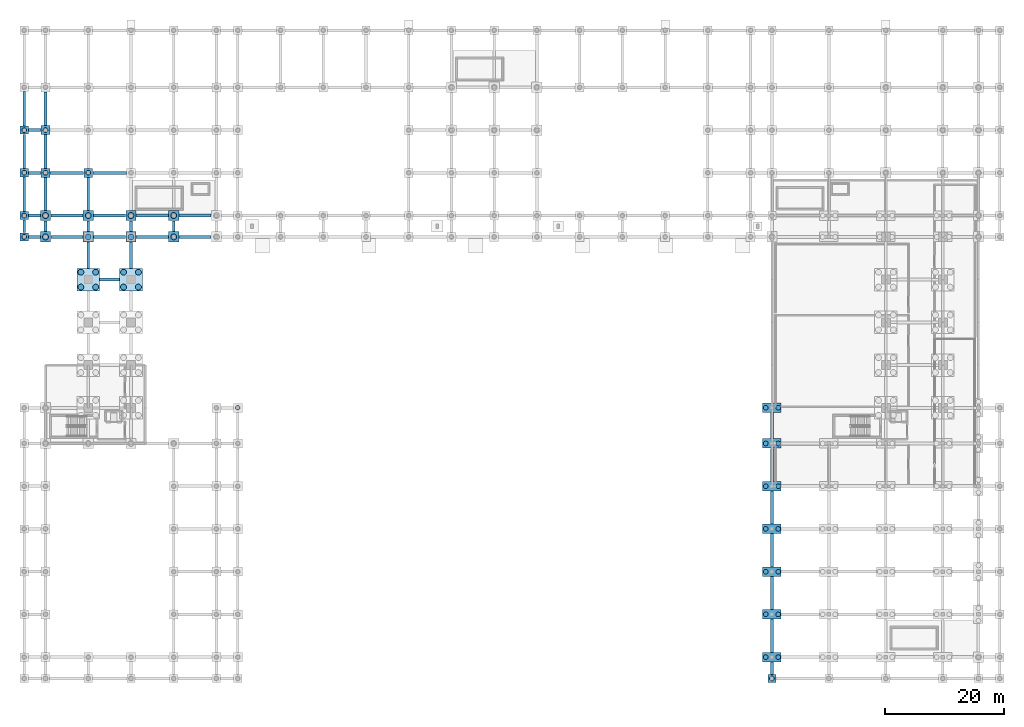
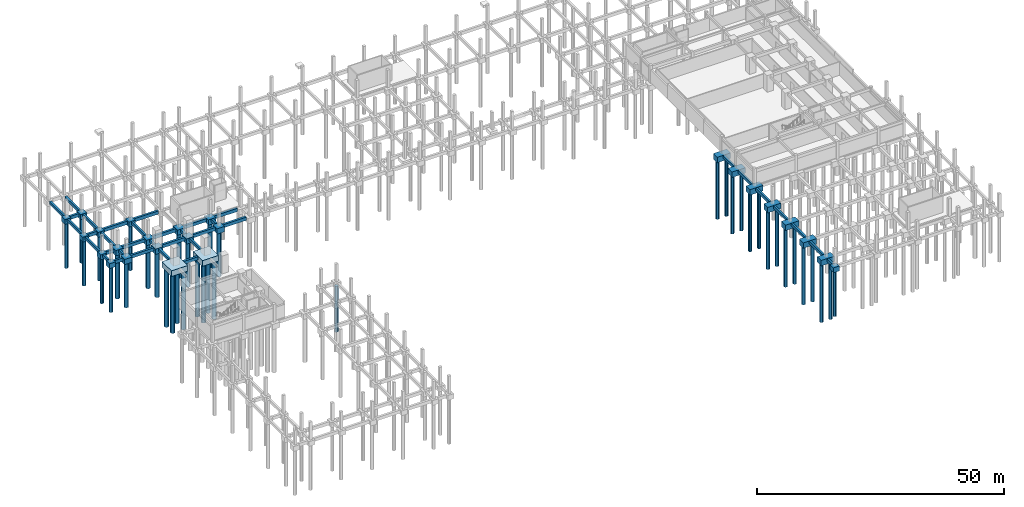
# One storey, part 3 of 20: 61 footings, 39 piles.
"""IFC4 building model written with IfcOpenShell, lengths in metres."""

from ifc_helpers import new_model, si_unit, direction, frame, origin, origin_2d, place, context, subcontext, project, spatial, polyline, rectangle, circle, outline, extrude, material, material_profile, profile_set, type_object, element, save


model = new_model("IFC4")

# Units and contexts
model_context = context("Model", 3, precision=1e-05, world=origin(), true_north=direction((0.0, 1.0)))
body_context = subcontext(model_context, "Body", "Model", "MODEL_VIEW")
ifc_project = project(units=[si_unit("LENGTHUNIT", "METRE"), si_unit("AREAUNIT", "SQUARE_METRE"), si_unit("VOLUMEUNIT", "CUBIC_METRE"), si_unit("PLANEANGLEUNIT", "RADIAN"), si_unit("MASSUNIT", "GRAM", prefix="KILO")], contexts=[model_context])

# Site, building, storey
site_placement = place(None, origin())
site = spatial("IfcSite", under=ifc_project, at=site_placement, CompositionType="ELEMENT")
building_placement = place(site_placement, origin())
building = spatial("IfcBuilding", under=site, at=building_placement, Name="Nzembalo Square Collegiate School", CompositionType="ELEMENT")
storey_placement = place(building_placement, frame((0.0, 0.0, -4.080078125)))
storey = spatial("IfcBuildingStorey", under=building, at=storey_placement, Name="B1", CompositionType="ELEMENT", Elevation=-4.080078125)

# Footings
ifc_material_1 = material(Name="Concrete C35/45", Category="concrete")
footing_type_1 = type_object("IfcFootingType", Name="PC01", PredefinedType="PILE_CAP", material=ifc_material_1)
for number, where, z_axis, x_axis, name in (
    (1, (15.60009765625, 72.0, -1.699951171875), (0.0, 0.0, 1.0), (1.0, 0.0, 0.0), "Pile cap PC01 at 3/K"),
    (2, (22.800048828125, 72.0, -1.699951171875), (0.0, 0.0, 1.0), (1.0, 0.0, 0.0), "Pile cap PC01 at 4/K"),
):
    element("IfcFooting", number, at=place(storey_placement, frame(where, z_axis=z_axis, x_axis=x_axis)), inside=storey, type_object=footing_type_1, Name=name, PredefinedType="PILE_CAP", context=body_context, shape_type="SweptSolid", body=[
        extrude(rectangle(XDim=3.800048828125, YDim=3.800048828125, at=origin_2d()), origin(), (0.0, 0.0, 1.0), 1.39990234375),
    ])
ifc_material_2 = material(Name="Concrete C35/45", Category="concrete")
footing_type_2 = type_object("IfcFootingType", Name="PC03", PredefinedType="PILE_CAP", material=ifc_material_2)
for number, where, z_axis, x_axis, name in (
    (3, (130.800048828125, 8.39990234375, -1.64990234375), (0.0, 0.0, 1.0), (1.0, 0.0, 0.0), "Pile cap PC03 at 20/B"),
    (4, (130.800048828125, 15.60009765625, -1.64990234375), (0.0, 0.0, 1.0), (1.0, 0.0, 0.0), "Pile cap PC03 at 20/C"),
    (5, (130.800048828125, 22.800048828125, -1.64990234375), (0.0, 0.0, 1.0), (1.0, 0.0, 0.0), "Pile cap PC03 at 20/D"),
    (6, (130.800048828125, 30.0, -1.64990234375), (0.0, 0.0, 1.0), (1.0, 0.0, 0.0), "Pile cap PC03 at 20/E"),
    (7, (130.800048828125, 37.199951171875, -1.64990234375), (0.0, 0.0, 1.0), (1.0, 0.0, 0.0), "Pile cap PC03 at 20/F"),
    (8, (130.800048828125, 44.39990234375, -1.64990234375), (0.0, 0.0, 1.0), (1.0, 0.0, 0.0), "Pile cap PC03 at 20/G"),
    (9, (130.800048828125, 50.39990234375, -1.64990234375), (0.0, 0.0, 1.0), (1.0, 0.0, 0.0), "Pile cap PC03 at 20/H"),
):
    element("IfcFooting", number, at=place(storey_placement, frame(where, z_axis=z_axis, x_axis=x_axis)), inside=storey, type_object=footing_type_2, Name=name, PredefinedType="PILE_CAP", context=body_context, shape_type="SweptSolid", body=[
        extrude(rectangle(XDim=3.10009765625, YDim=1.60009765625, at=origin_2d()), origin(), (0.0, 0.0, 1.0), 1.35009765625),
    ])
ifc_material_3 = material(Name="Concrete C35/45", Category="concrete")
footing_type_3 = type_object("IfcFootingType", Name="PC05", PredefinedType="PILE_CAP", material=ifc_material_3)
for number, where, z_axis, x_axis, name in (
    (10, (8.39990234375, 79.199951171875, -1.60009765625), (0.0, 0.0, 1.0), (1.0, 0.0, 0.0), "Pile cap PC05 at 2/L"),
    (11, (8.39990234375, 82.800048828125, -1.60009765625), (0.0, 0.0, 1.0), (1.0, 0.0, 0.0), "Pile cap PC05 at 2/M"),
    (12, (15.60009765625, 79.199951171875, -1.60009765625), (0.0, 0.0, 1.0), (1.0, 0.0, 0.0), "Pile cap PC05 at 3/L"),
    (13, (15.60009765625, 82.800048828125, -1.60009765625), (0.0, 0.0, 1.0), (1.0, 0.0, 0.0), "Pile cap PC05 at 3/M"),
    (14, (22.800048828125, 79.199951171875, -1.60009765625), (0.0, 0.0, 1.0), (1.0, 0.0, 0.0), "Pile cap PC05 at 4/L"),
    (15, (22.800048828125, 82.800048828125, -1.60009765625), (0.0, 0.0, 1.0), (1.0, 0.0, 0.0), "Pile cap PC05 at 4/M"),
    (16, (30.0, 79.199951171875, -1.60009765625), (0.0, 0.0, 1.0), (1.0, 0.0, 0.0), "Pile cap PC05 at 5/L"),
    (17, (30.0, 82.800048828125, -1.60009765625), (0.0, 0.0, 1.0), (1.0, 0.0, 0.0), "Pile cap PC05 at 5/M"),
):
    element("IfcFooting", number, at=place(storey_placement, frame(where, z_axis=z_axis, x_axis=x_axis)), inside=storey, type_object=footing_type_3, Name=name, PredefinedType="PILE_CAP", context=body_context, shape_type="SweptSolid", body=[
        extrude(rectangle(XDim=1.75, YDim=1.75, at=origin_2d()), origin(), (0.0, 0.0, 1.0), 1.300048828125),
    ])
ifc_material_4 = material(Name="Concrete C35/45", Category="concrete")
footing_type_4 = type_object("IfcFootingType", Name="PC06", PredefinedType="PILE_CAP", material=ifc_material_4)
for number, where, z_axis, x_axis, name in (
    (18, (8.39990234375, 90.0, -1.5498046875), (0.0, 0.0, 1.0), (1.0, 0.0, 0.0), "Pile cap PC06 at 2/N"),
    (19, (8.39990234375, 97.199951171875, -1.5498046875), (0.0, 0.0, 1.0), (1.0, 0.0, 0.0), "Pile cap PC06 at 2/O"),
    (20, (15.60009765625, 90.0, -1.5498046875), (0.0, 0.0, 1.0), (1.0, 0.0, 0.0), "Pile cap PC06 at 3/N"),
):
    element("IfcFooting", number, at=place(storey_placement, frame(where, z_axis=z_axis, x_axis=x_axis)), inside=storey, type_object=footing_type_4, Name=name, PredefinedType="PILE_CAP", context=body_context, shape_type="SweptSolid", body=[
        extrude(rectangle(XDim=1.5, YDim=1.5, at=origin_2d()), origin(), (0.0, 0.0, 1.0), 1.25),
    ])
ifc_material_5 = material(Name="Concrete C35/45", Category="concrete")
footing_type_5 = type_object("IfcFootingType", Name="PC07", PredefinedType="PILE_CAP", material=ifc_material_5)
for number, where, z_axis, x_axis, name in (
    (21, (4.800048828125, 79.199951171875, -1.5), (0.0, 0.0, 1.0), (1.0, 0.0, 0.0), "Pile cap PC07 at 1/L"),
    (22, (4.800048828125, 82.800048828125, -1.5), (0.0, 0.0, 1.0), (1.0, 0.0, 0.0), "Pile cap PC07 at 1/M"),
    (23, (4.800048828125, 90.0, -1.5), (0.0, 0.0, 1.0), (1.0, 0.0, 0.0), "Pile cap PC07 at 1/N"),
    (24, (4.800048828125, 97.199951171875, -1.5), (0.0, 0.0, 1.0), (1.0, 0.0, 0.0), "Pile cap PC07 at 1/O"),
    (25, (130.800048828125, 4.800048828125, -1.5), (0.0, 0.0, 1.0), (1.0, 0.0, 0.0), "Pile cap PC07 at 20/A"),
):
    element("IfcFooting", number, at=place(storey_placement, frame(where, z_axis=z_axis, x_axis=x_axis)), inside=storey, type_object=footing_type_5, Name=name, PredefinedType="PILE_CAP", context=body_context, shape_type="SweptSolid", body=[
        extrude(rectangle(XDim=1.39990234375, YDim=1.39990234375, at=origin_2d()), origin(), (0.0, 0.0, 1.0), 1.199951171875),
    ])
ifc_material_6 = material(Name="Concrete C30/37", Category="concrete")
footing_type_6 = type_object("IfcFootingType", Name="FG01", PredefinedType="FOOTING_BEAM", material=ifc_material_6)
footing_1_placement = place(storey_placement, frame((0.0, 0.0, -1.099853515625)))
element("IfcFooting", 26, at=footing_1_placement, inside=storey, type_object=footing_type_6, Name="Ground beam FG01 3-4/K", PredefinedType="FOOTING_BEAM", context=body_context, shape_type="SweptSolid", body=[
    extrude(outline(polyline([(17.510009765625, 71.75), (20.889892578125, 71.75), (20.889892578125, 72.25), (17.510009765625, 72.25), (17.510009765625, 71.75)])), origin(), (0.0, 0.0, 1.0), 0.800048828125),
])
footing_2_placement = place(storey_placement, frame((0.0, 0.0, -1.099853515625)))
element("IfcFooting", 27, at=footing_2_placement, inside=storey, type_object=footing_type_6, Name="Ground beam FG01 1-2/L", PredefinedType="FOOTING_BEAM", context=body_context, shape_type="SweptSolid", body=[
    extrude(outline(polyline([(5.510009765625, 78.949951171875), (7.514892578125, 78.949951171875), (7.514892578125, 79.449951171875), (5.510009765625, 79.449951171875), (5.510009765625, 78.949951171875)])), origin(), (0.0, 0.0, 1.0), 0.800048828125),
])
footing_3_placement = place(storey_placement, frame((0.0, 0.0, -1.099853515625)))
element("IfcFooting", 28, at=footing_3_placement, inside=storey, type_object=footing_type_6, Name="Ground beam FG01 2-3/L", PredefinedType="FOOTING_BEAM", context=body_context, shape_type="SweptSolid", body=[
    extrude(outline(polyline([(9.284912109375, 78.949951171875), (14.715087890625, 78.949951171875), (14.715087890625, 79.449951171875), (9.284912109375, 79.449951171875), (9.284912109375, 78.949951171875)])), origin(), (0.0, 0.0, 1.0), 0.800048828125),
])
footing_4_placement = place(storey_placement, frame((0.0, 0.0, -1.099853515625)))
element("IfcFooting", 29, at=footing_4_placement, inside=storey, type_object=footing_type_6, Name="Ground beam FG01 3-4/L", PredefinedType="FOOTING_BEAM", context=body_context, shape_type="SweptSolid", body=[
    extrude(outline(polyline([(16.485107421875, 78.949951171875), (21.9150390625, 78.949951171875), (21.9150390625, 79.449951171875), (16.485107421875, 79.449951171875), (16.485107421875, 78.949951171875)])), origin(), (0.0, 0.0, 1.0), 0.800048828125),
])
footing_5_placement = place(storey_placement, frame((0.0, 0.0, -1.099853515625)))
element("IfcFooting", 30, at=footing_5_placement, inside=storey, type_object=footing_type_6, Name="Ground beam FG01 4-5/L", PredefinedType="FOOTING_BEAM", context=body_context, shape_type="SweptSolid", body=[
    extrude(outline(polyline([(23.68505859375, 78.949951171875), (29.114990234375, 78.949951171875), (29.114990234375, 79.449951171875), (23.68505859375, 79.449951171875), (23.68505859375, 78.949951171875)])), origin(), (0.0, 0.0, 1.0), 0.800048828125),
])
footing_6_placement = place(storey_placement, frame((0.0, 0.0, -1.099853515625)))
element("IfcFooting", 31, at=footing_6_placement, inside=storey, type_object=footing_type_6, Name="Ground beam FG01 5-6/L", PredefinedType="FOOTING_BEAM", context=body_context, shape_type="SweptSolid", body=[
    extrude(outline(polyline([(30.885009765625, 78.949951171875), (36.31494140625, 78.949951171875), (36.31494140625, 79.449951171875), (30.885009765625, 79.449951171875), (30.885009765625, 78.949951171875)])), origin(), (0.0, 0.0, 1.0), 0.800048828125),
])
footing_7_placement = place(storey_placement, frame((0.0, 0.0, -1.099853515625)))
element("IfcFooting", 32, at=footing_7_placement, inside=storey, type_object=footing_type_6, Name="Ground beam FG01 1-2/M", PredefinedType="FOOTING_BEAM", context=body_context, shape_type="SweptSolid", body=[
    extrude(outline(polyline([(5.510009765625, 82.550048828125), (7.514892578125, 82.550048828125), (7.514892578125, 83.050048828125), (5.510009765625, 83.050048828125), (5.510009765625, 82.550048828125)])), origin(), (0.0, 0.0, 1.0), 0.800048828125),
])
footing_8_placement = place(storey_placement, frame((0.0, 0.0, -1.099853515625)))
element("IfcFooting", 33, at=footing_8_placement, inside=storey, type_object=footing_type_6, Name="Ground beam FG01 2-3/M", PredefinedType="FOOTING_BEAM", context=body_context, shape_type="SweptSolid", body=[
    extrude(outline(polyline([(9.284912109375, 82.550048828125), (14.715087890625, 82.550048828125), (14.715087890625, 83.050048828125), (9.284912109375, 83.050048828125), (9.284912109375, 82.550048828125)])), origin(), (0.0, 0.0, 1.0), 0.800048828125),
])
footing_9_placement = place(storey_placement, frame((0.0, 0.0, -1.099853515625)))
element("IfcFooting", 34, at=footing_9_placement, inside=storey, type_object=footing_type_6, Name="Ground beam FG01 3-4/M", PredefinedType="FOOTING_BEAM", context=body_context, shape_type="SweptSolid", body=[
    extrude(outline(polyline([(16.485107421875, 82.550048828125), (21.9150390625, 82.550048828125), (21.9150390625, 83.050048828125), (16.485107421875, 83.050048828125), (16.485107421875, 82.550048828125)])), origin(), (0.0, 0.0, 1.0), 0.800048828125),
])
footing_10_placement = place(storey_placement, frame((0.0, 0.0, -1.099853515625)))
element("IfcFooting", 35, at=footing_10_placement, inside=storey, type_object=footing_type_6, Name="Ground beam FG01 4-5/M", PredefinedType="FOOTING_BEAM", context=body_context, shape_type="SweptSolid", body=[
    extrude(outline(polyline([(23.68505859375, 82.550048828125), (29.114990234375, 82.550048828125), (29.114990234375, 83.050048828125), (23.68505859375, 83.050048828125), (23.68505859375, 82.550048828125)])), origin(), (0.0, 0.0, 1.0), 0.800048828125),
])
footing_11_placement = place(storey_placement, frame((0.0, 0.0, -1.099853515625)))
element("IfcFooting", 36, at=footing_11_placement, inside=storey, type_object=footing_type_6, Name="Ground beam FG01 5-6/M", PredefinedType="FOOTING_BEAM", context=body_context, shape_type="SweptSolid", body=[
    extrude(outline(polyline([(30.885009765625, 82.550048828125), (36.31494140625, 82.550048828125), (36.31494140625, 83.050048828125), (30.885009765625, 83.050048828125), (30.885009765625, 82.550048828125)])), origin(), (0.0, 0.0, 1.0), 0.800048828125),
])
footing_12_placement = place(storey_placement, frame((0.0, 0.0, -1.099853515625)))
element("IfcFooting", 37, at=footing_12_placement, inside=storey, type_object=footing_type_6, Name="Ground beam FG01 1-2/N", PredefinedType="FOOTING_BEAM", context=body_context, shape_type="SweptSolid", body=[
    extrude(outline(polyline([(5.510009765625, 89.75), (7.639892578125, 89.75), (7.639892578125, 90.25), (5.510009765625, 90.25), (5.510009765625, 89.75)])), origin(), (0.0, 0.0, 1.0), 0.800048828125),
])
footing_13_placement = place(storey_placement, frame((0.0, 0.0, -1.099853515625)))
element("IfcFooting", 38, at=footing_13_placement, inside=storey, type_object=footing_type_6, Name="Ground beam FG01 2-3/N", PredefinedType="FOOTING_BEAM", context=body_context, shape_type="SweptSolid", body=[
    extrude(outline(polyline([(9.159912109375, 89.75), (14.840087890625, 89.75), (14.840087890625, 90.25), (9.159912109375, 90.25), (9.159912109375, 89.75)])), origin(), (0.0, 0.0, 1.0), 0.800048828125),
])
footing_14_placement = place(storey_placement, frame((0.0, 0.0, -1.099853515625)))
element("IfcFooting", 39, at=footing_14_placement, inside=storey, type_object=footing_type_6, Name="Ground beam FG01 3-4/N", PredefinedType="FOOTING_BEAM", context=body_context, shape_type="SweptSolid", body=[
    extrude(outline(polyline([(16.360107421875, 89.75), (22.0400390625, 89.75), (22.0400390625, 90.25), (16.360107421875, 90.25), (16.360107421875, 89.75)])), origin(), (0.0, 0.0, 1.0), 0.800048828125),
])
footing_15_placement = place(storey_placement, frame((0.0, 0.0, -1.099853515625)))
element("IfcFooting", 40, at=footing_15_placement, inside=storey, type_object=footing_type_6, Name="Ground beam FG01 1-2/O", PredefinedType="FOOTING_BEAM", context=body_context, shape_type="SweptSolid", body=[
    extrude(outline(polyline([(5.510009765625, 96.949951171875), (7.639892578125, 96.949951171875), (7.639892578125, 97.449951171875), (5.510009765625, 97.449951171875), (5.510009765625, 96.949951171875)])), origin(), (0.0, 0.0, 1.0), 0.800048828125),
])
ifc_material_7 = material(Name="Concrete C30/37", Category="concrete")
footing_type_7 = type_object("IfcFootingType", Name="FG02", PredefinedType="FOOTING_BEAM", material=ifc_material_7)
footing_16_placement = place(storey_placement, frame((0.0, 0.0, -1.0)))
element("IfcFooting", 41, at=footing_16_placement, inside=storey, type_object=footing_type_7, Name="Ground beam FG02 1/L-M", PredefinedType="FOOTING_BEAM", context=body_context, shape_type="SweptSolid", body=[
    extrude(outline(polyline([(4.574951171875, 79.909912109375), (5.02490234375, 79.909912109375), (5.02490234375, 82.090087890625), (4.574951171875, 82.090087890625), (4.574951171875, 79.909912109375)])), origin(), (0.0, 0.0, 1.0), 0.7001953125),
])
footing_17_placement = place(storey_placement, frame((0.0, 0.0, -1.0)))
element("IfcFooting", 42, at=footing_17_placement, inside=storey, type_object=footing_type_7, Name="Ground beam FG02 1/M-N", PredefinedType="FOOTING_BEAM", context=body_context, shape_type="SweptSolid", body=[
    extrude(outline(polyline([(4.574951171875, 83.510009765625), (5.02490234375, 83.510009765625), (5.02490234375, 89.2900390625), (4.574951171875, 89.2900390625), (4.574951171875, 83.510009765625)])), origin(), (0.0, 0.0, 1.0), 0.7001953125),
])
footing_18_placement = place(storey_placement, frame((0.0, 0.0, -1.0)))
element("IfcFooting", 43, at=footing_18_placement, inside=storey, type_object=footing_type_7, Name="Ground beam FG02 1/N-O", PredefinedType="FOOTING_BEAM", context=body_context, shape_type="SweptSolid", body=[
    extrude(outline(polyline([(4.574951171875, 90.7099609375), (5.02490234375, 90.7099609375), (5.02490234375, 96.489990234375), (4.574951171875, 96.489990234375), (4.574951171875, 90.7099609375)])), origin(), (0.0, 0.0, 1.0), 0.7001953125),
])
footing_19_placement = place(storey_placement, frame((0.0, 0.0, -1.0)))
element("IfcFooting", 44, at=footing_19_placement, inside=storey, type_object=footing_type_7, Name="Ground beam FG02 1/O-P", PredefinedType="FOOTING_BEAM", context=body_context, shape_type="SweptSolid", body=[
    extrude(outline(polyline([(4.574951171875, 97.909912109375), (5.02490234375, 97.909912109375), (5.02490234375, 103.68994140625), (4.574951171875, 103.68994140625), (4.574951171875, 97.909912109375)])), origin(), (0.0, 0.0, 1.0), 0.7001953125),
])
footing_20_placement = place(storey_placement, frame((0.0, 0.0, -1.0)))
element("IfcFooting", 45, at=footing_20_placement, inside=storey, type_object=footing_type_7, Name="Ground beam FG02 2/L-M", PredefinedType="FOOTING_BEAM", context=body_context, shape_type="SweptSolid", body=[
    extrude(outline(polyline([(8.175048828125, 80.0849609375), (8.625, 80.0849609375), (8.625, 81.9150390625), (8.175048828125, 81.9150390625), (8.175048828125, 80.0849609375)])), origin(), (0.0, 0.0, 1.0), 0.7001953125),
])
footing_21_placement = place(storey_placement, frame((0.0, 0.0, -1.0)))
element("IfcFooting", 46, at=footing_21_placement, inside=storey, type_object=footing_type_7, Name="Ground beam FG02 2/M-N", PredefinedType="FOOTING_BEAM", context=body_context, shape_type="SweptSolid", body=[
    extrude(outline(polyline([(8.175048828125, 83.68505859375), (8.625, 83.68505859375), (8.625, 89.239990234375), (8.175048828125, 89.239990234375), (8.175048828125, 83.68505859375)])), origin(), (0.0, 0.0, 1.0), 0.7001953125),
])
footing_22_placement = place(storey_placement, frame((0.0, 0.0, -1.0)))
element("IfcFooting", 47, at=footing_22_placement, inside=storey, type_object=footing_type_7, Name="Ground beam FG02 2/N-O", PredefinedType="FOOTING_BEAM", context=body_context, shape_type="SweptSolid", body=[
    extrude(outline(polyline([(8.175048828125, 90.760009765625), (8.625, 90.760009765625), (8.625, 96.43994140625), (8.175048828125, 96.43994140625), (8.175048828125, 90.760009765625)])), origin(), (0.0, 0.0, 1.0), 0.7001953125),
])
footing_23_placement = place(storey_placement, frame((0.0, 0.0, -1.0)))
element("IfcFooting", 48, at=footing_23_placement, inside=storey, type_object=footing_type_7, Name="Ground beam FG02 2/O-P", PredefinedType="FOOTING_BEAM", context=body_context, shape_type="SweptSolid", body=[
    extrude(outline(polyline([(8.175048828125, 97.9599609375), (8.625, 97.9599609375), (8.625, 103.639892578125), (8.175048828125, 103.639892578125), (8.175048828125, 97.9599609375)])), origin(), (0.0, 0.0, 1.0), 0.7001953125),
])
footing_24_placement = place(storey_placement, frame((0.0, 0.0, -1.0)))
element("IfcFooting", 49, at=footing_24_placement, inside=storey, type_object=footing_type_7, Name="Ground beam FG02 3/K-L", PredefinedType="FOOTING_BEAM", context=body_context, shape_type="SweptSolid", body=[
    extrude(outline(polyline([(15.375, 73.909912109375), (15.824951171875, 73.909912109375), (15.824951171875, 78.31494140625), (15.375, 78.31494140625), (15.375, 73.909912109375)])), origin(), (0.0, 0.0, 1.0), 0.7001953125),
])
footing_25_placement = place(storey_placement, frame((0.0, 0.0, -1.0)))
element("IfcFooting", 50, at=footing_25_placement, inside=storey, type_object=footing_type_7, Name="Ground beam FG02 3/L-M", PredefinedType="FOOTING_BEAM", context=body_context, shape_type="SweptSolid", body=[
    extrude(outline(polyline([(15.375, 80.0849609375), (15.824951171875, 80.0849609375), (15.824951171875, 81.9150390625), (15.375, 81.9150390625), (15.375, 80.0849609375)])), origin(), (0.0, 0.0, 1.0), 0.7001953125),
])
footing_26_placement = place(storey_placement, frame((0.0, 0.0, -1.0)))
element("IfcFooting", 51, at=footing_26_placement, inside=storey, type_object=footing_type_7, Name="Ground beam FG02 3/M-N", PredefinedType="FOOTING_BEAM", context=body_context, shape_type="SweptSolid", body=[
    extrude(outline(polyline([(15.375, 83.68505859375), (15.824951171875, 83.68505859375), (15.824951171875, 89.239990234375), (15.375, 89.239990234375), (15.375, 83.68505859375)])), origin(), (0.0, 0.0, 1.0), 0.7001953125),
])
footing_27_placement = place(storey_placement, frame((0.0, 0.0, -1.0)))
element("IfcFooting", 52, at=footing_27_placement, inside=storey, type_object=footing_type_7, Name="Ground beam FG02 4/K-L", PredefinedType="FOOTING_BEAM", context=body_context, shape_type="SweptSolid", body=[
    extrude(outline(polyline([(22.574951171875, 73.909912109375), (23.02490234375, 73.909912109375), (23.02490234375, 78.31494140625), (22.574951171875, 78.31494140625), (22.574951171875, 73.909912109375)])), origin(), (0.0, 0.0, 1.0), 0.7001953125),
])
footing_28_placement = place(storey_placement, frame((0.0, 0.0, -1.0)))
element("IfcFooting", 53, at=footing_28_placement, inside=storey, type_object=footing_type_7, Name="Ground beam FG02 4/L-M", PredefinedType="FOOTING_BEAM", context=body_context, shape_type="SweptSolid", body=[
    extrude(outline(polyline([(22.574951171875, 80.0849609375), (23.02490234375, 80.0849609375), (23.02490234375, 81.9150390625), (22.574951171875, 81.9150390625), (22.574951171875, 80.0849609375)])), origin(), (0.0, 0.0, 1.0), 0.7001953125),
])
footing_29_placement = place(storey_placement, frame((0.0, 0.0, -1.0)))
element("IfcFooting", 54, at=footing_29_placement, inside=storey, type_object=footing_type_7, Name="Ground beam FG02 5/L-M", PredefinedType="FOOTING_BEAM", context=body_context, shape_type="SweptSolid", body=[
    extrude(outline(polyline([(29.77490234375, 80.0849609375), (30.22509765625, 80.0849609375), (30.22509765625, 81.9150390625), (29.77490234375, 81.9150390625), (29.77490234375, 80.0849609375)])), origin(), (0.0, 0.0, 1.0), 0.7001953125),
])
footing_30_placement = place(storey_placement, frame((0.0, 0.0, -1.0)))
element("IfcFooting", 55, at=footing_30_placement, inside=storey, type_object=footing_type_7, Name="Ground beam FG02 20/A-B", PredefinedType="FOOTING_BEAM", context=body_context, shape_type="SweptSolid", body=[
    extrude(outline(polyline([(130.574951171875, 5.510009765625), (131.02490234375, 5.510009765625), (131.02490234375, 7.590087890625), (130.574951171875, 7.590087890625), (130.574951171875, 5.510009765625)])), origin(), (0.0, 0.0, 1.0), 0.7001953125),
])
footing_31_placement = place(storey_placement, frame((0.0, 0.0, -1.0)))
element("IfcFooting", 56, at=footing_31_placement, inside=storey, type_object=footing_type_7, Name="Ground beam FG02 20/B-C", PredefinedType="FOOTING_BEAM", context=body_context, shape_type="SweptSolid", body=[
    extrude(outline(polyline([(130.574951171875, 9.2099609375), (131.02490234375, 9.2099609375), (131.02490234375, 14.7900390625), (130.574951171875, 14.7900390625), (130.574951171875, 9.2099609375)])), origin(), (0.0, 0.0, 1.0), 0.7001953125),
])
footing_32_placement = place(storey_placement, frame((0.0, 0.0, -1.0)))
element("IfcFooting", 57, at=footing_32_placement, inside=storey, type_object=footing_type_7, Name="Ground beam FG02 20/C-D", PredefinedType="FOOTING_BEAM", context=body_context, shape_type="SweptSolid", body=[
    extrude(outline(polyline([(130.574951171875, 16.409912109375), (131.02490234375, 16.409912109375), (131.02490234375, 21.989990234375), (130.574951171875, 21.989990234375), (130.574951171875, 16.409912109375)])), origin(), (0.0, 0.0, 1.0), 0.7001953125),
])
footing_33_placement = place(storey_placement, frame((0.0, 0.0, -1.0)))
element("IfcFooting", 58, at=footing_33_placement, inside=storey, type_object=footing_type_7, Name="Ground beam FG02 20/D-E", PredefinedType="FOOTING_BEAM", context=body_context, shape_type="SweptSolid", body=[
    extrude(outline(polyline([(130.574951171875, 23.610107421875), (131.02490234375, 23.610107421875), (131.02490234375, 29.18994140625), (130.574951171875, 29.18994140625), (130.574951171875, 23.610107421875)])), origin(), (0.0, 0.0, 1.0), 0.7001953125),
])
footing_34_placement = place(storey_placement, frame((0.0, 0.0, -1.0)))
element("IfcFooting", 59, at=footing_34_placement, inside=storey, type_object=footing_type_7, Name="Ground beam FG02 20/E-F", PredefinedType="FOOTING_BEAM", context=body_context, shape_type="SweptSolid", body=[
    extrude(outline(polyline([(130.574951171875, 30.81005859375), (131.02490234375, 30.81005859375), (131.02490234375, 36.389892578125), (130.574951171875, 36.389892578125), (130.574951171875, 30.81005859375)])), origin(), (0.0, 0.0, 1.0), 0.7001953125),
])
footing_35_placement = place(storey_placement, frame((0.0, 0.0, -1.0)))
element("IfcFooting", 60, at=footing_35_placement, inside=storey, type_object=footing_type_7, Name="Ground beam FG02 20/F-G", PredefinedType="FOOTING_BEAM", context=body_context, shape_type="SweptSolid", body=[
    extrude(outline(polyline([(130.574951171875, 38.010009765625), (131.02490234375, 38.010009765625), (131.02490234375, 43.590087890625), (130.574951171875, 43.590087890625), (130.574951171875, 38.010009765625)])), origin(), (0.0, 0.0, 1.0), 0.7001953125),
])
footing_36_placement = place(storey_placement, frame((0.0, 0.0, -1.0)))
element("IfcFooting", 61, at=footing_36_placement, inside=storey, type_object=footing_type_7, Name="Ground beam FG02 20/G-H", PredefinedType="FOOTING_BEAM", context=body_context, shape_type="SweptSolid", body=[
    extrude(outline(polyline([(130.574951171875, 45.2099609375), (131.02490234375, 45.2099609375), (131.02490234375, 49.590087890625), (130.574951171875, 49.590087890625), (130.574951171875, 45.2099609375)])), origin(), (0.0, 0.0, 1.0), 0.7001953125),
])

# Piles
ifc_material_8 = material(Name="Concrete C30/37", Category="concrete")
ifc_material_profile_1 = material_profile(ifc_material_8, circle(Radius=0.5, at=origin_2d()), Name="PILE D1000")
ifc_profile_set_1 = profile_set([ifc_material_profile_1], Name="Concrete C30/37")
pile_type_1 = type_object("IfcPileType", Name="P01", PredefinedType="BORED", material=ifc_profile_set_1)
for number, where, z_axis, x_axis, name in (
    (62, (8.39990234375, 79.199951171875, -1.5), (0.0, 0.0, -1.0), (1.0, 0.0, 0.0), "Bored pile P01-075"),
    (63, (8.39990234375, 82.800048828125, -1.5), (0.0, 0.0, -1.0), (1.0, 0.0, 0.0), "Bored pile P01-076"),
):
    element("IfcPile", number, at=place(storey_placement, frame(where, z_axis=z_axis, x_axis=x_axis)), inside=storey, type_object=pile_type_1, Name=name, PredefinedType="BORED", context=body_context, shape_type="SweptSolid", body=[
        extrude(circle(Radius=0.5, at=origin_2d()), origin(), (0.0, 0.0, 1.0), 11.219970703125),
    ])
for number, where, z_axis, x_axis, name in (
    (64, (14.35009765625, 70.75, -1.599853515625), (0.0, 0.0, -1.0), (1.0, 0.0, 0.0), "Bored pile P01-246"),
    (65, (16.85009765625, 70.75, -1.599853515625), (0.0, 0.0, -1.0), (1.0, 0.0, 0.0), "Bored pile P01-247"),
    (66, (14.35009765625, 73.25, -1.599853515625), (0.0, 0.0, -1.0), (1.0, 0.0, 0.0), "Bored pile P01-248"),
    (67, (16.85009765625, 73.25, -1.599853515625), (0.0, 0.0, -1.0), (1.0, 0.0, 0.0), "Bored pile P01-249"),
):
    element("IfcPile", number, at=place(storey_placement, frame(where, z_axis=z_axis, x_axis=x_axis)), inside=storey, type_object=pile_type_1, Name=name, PredefinedType="BORED", context=body_context, shape_type="SweptSolid", body=[
        extrude(circle(Radius=0.5, at=origin_2d()), origin(), (0.0, 0.0, 1.0), 14.39990234375),
    ])
for number, where, z_axis, x_axis, name in (
    (68, (15.60009765625, 79.199951171875, -1.5), (0.0, 0.0, -1.0), (1.0, 0.0, 0.0), "Bored pile P01-250"),
    (69, (15.60009765625, 82.800048828125, -1.5), (0.0, 0.0, -1.0), (1.0, 0.0, 0.0), "Bored pile P01-251"),
):
    element("IfcPile", number, at=place(storey_placement, frame(where, z_axis=z_axis, x_axis=x_axis)), inside=storey, type_object=pile_type_1, Name=name, PredefinedType="BORED", context=body_context, shape_type="SweptSolid", body=[
        extrude(circle(Radius=0.5, at=origin_2d()), origin(), (0.0, 0.0, 1.0), 11.219970703125),
    ])
for number, where, z_axis, x_axis, name in (
    (70, (21.550048828125, 70.75, -1.599853515625), (0.0, 0.0, -1.0), (1.0, 0.0, 0.0), "Bored pile P01-271"),
    (71, (24.050048828125, 70.75, -1.599853515625), (0.0, 0.0, -1.0), (1.0, 0.0, 0.0), "Bored pile P01-272"),
    (72, (21.550048828125, 73.25, -1.599853515625), (0.0, 0.0, -1.0), (1.0, 0.0, 0.0), "Bored pile P01-273"),
    (73, (24.050048828125, 73.25, -1.599853515625), (0.0, 0.0, -1.0), (1.0, 0.0, 0.0), "Bored pile P01-274"),
):
    element("IfcPile", number, at=place(storey_placement, frame(where, z_axis=z_axis, x_axis=x_axis)), inside=storey, type_object=pile_type_1, Name=name, PredefinedType="BORED", context=body_context, shape_type="SweptSolid", body=[
        extrude(circle(Radius=0.5, at=origin_2d()), origin(), (0.0, 0.0, 1.0), 14.39990234375),
    ])
for number, where, z_axis, x_axis, name in (
    (74, (22.800048828125, 79.199951171875, -1.5), (0.0, 0.0, -1.0), (1.0, 0.0, 0.0), "Bored pile P01-275"),
    (75, (22.800048828125, 82.800048828125, -1.5), (0.0, 0.0, -1.0), (1.0, 0.0, 0.0), "Bored pile P01-276"),
    (76, (30.0, 79.199951171875, -1.5), (0.0, 0.0, -1.0), (1.0, 0.0, 0.0), "Bored pile P01-288"),
    (77, (30.0, 82.800048828125, -1.5), (0.0, 0.0, -1.0), (1.0, 0.0, 0.0), "Bored pile P01-289"),
):
    element("IfcPile", number, at=place(storey_placement, frame(where, z_axis=z_axis, x_axis=x_axis)), inside=storey, type_object=pile_type_1, Name=name, PredefinedType="BORED", context=body_context, shape_type="SweptSolid", body=[
        extrude(circle(Radius=0.5, at=origin_2d()), origin(), (0.0, 0.0, 1.0), 11.219970703125),
    ])
ifc_material_9 = material(Name="Concrete C30/37", Category="concrete")
ifc_material_profile_2 = material_profile(ifc_material_9, circle(Radius=0.39990234375, at=origin_2d()), Name="PILE D800")
ifc_profile_set_2 = profile_set([ifc_material_profile_2], Name="Concrete C30/37")
pile_type_2 = type_object("IfcPileType", Name="P02", PredefinedType="BORED", material=ifc_profile_set_2)
for number, where, z_axis, x_axis, name in (
    (78, (4.800048828125, 79.199951171875, -1.39990234375), (0.0, 0.0, -1.0), (1.0, 0.0, 0.0), "Bored pile P02-009"),
    (79, (4.800048828125, 82.800048828125, -1.39990234375), (0.0, 0.0, -1.0), (1.0, 0.0, 0.0), "Bored pile P02-010"),
    (80, (4.800048828125, 90.0, -1.39990234375), (0.0, 0.0, -1.0), (1.0, 0.0, 0.0), "Bored pile P02-011"),
    (81, (4.800048828125, 97.199951171875, -1.39990234375), (0.0, 0.0, -1.0), (1.0, 0.0, 0.0), "Bored pile P02-012"),
):
    element("IfcPile", number, at=place(storey_placement, frame(where, z_axis=z_axis, x_axis=x_axis)), inside=storey, type_object=pile_type_2, Name=name, PredefinedType="BORED", context=body_context, shape_type="SweptSolid", body=[
        extrude(circle(Radius=0.39990234375, at=origin_2d()), origin(), (0.0, 0.0, 1.0), 11.320068359375),
    ])
for number, where, z_axis, x_axis, name in (
    (82, (8.39990234375, 90.0, -1.449951171875), (0.0, 0.0, -1.0), (1.0, 0.0, 0.0), "Bored pile P02-077"),
    (83, (8.39990234375, 97.199951171875, -1.449951171875), (0.0, 0.0, -1.0), (1.0, 0.0, 0.0), "Bored pile P02-078"),
):
    element("IfcPile", number, at=place(storey_placement, frame(where, z_axis=z_axis, x_axis=x_axis)), inside=storey, type_object=pile_type_2, Name=name, PredefinedType="BORED", context=body_context, shape_type="SweptSolid", body=[
        extrude(circle(Radius=0.39990234375, at=origin_2d()), origin(), (0.0, 0.0, 1.0), 11.27001953125),
    ])
pile_placement = place(storey_placement, frame((130.800048828125, 4.800048828125, -1.39990234375), z_axis=(0.0, 0.0, -1.0), x_axis=(1.0, 0.0, 0.0)))
element("IfcPile", 84, at=pile_placement, inside=storey, type_object=pile_type_2, Name="Bored pile P02-081", PredefinedType="BORED", context=body_context, shape_type="SweptSolid", body=[
    extrude(circle(Radius=0.39990234375, at=origin_2d()), origin(), (0.0, 0.0, 1.0), 11.320068359375),
])
for number, where, z_axis, x_axis, name in (
    (85, (129.75, 8.39990234375, -1.5498046875), (0.0, 0.0, -1.0), (1.0, 0.0, 0.0), "Bored pile P02-082"),
    (86, (131.85009765625, 8.39990234375, -1.5498046875), (0.0, 0.0, -1.0), (1.0, 0.0, 0.0), "Bored pile P02-083"),
    (87, (129.75, 15.60009765625, -1.5498046875), (0.0, 0.0, -1.0), (1.0, 0.0, 0.0), "Bored pile P02-084"),
    (88, (131.85009765625, 15.60009765625, -1.5498046875), (0.0, 0.0, -1.0), (1.0, 0.0, 0.0), "Bored pile P02-085"),
    (89, (129.75, 22.800048828125, -1.5498046875), (0.0, 0.0, -1.0), (1.0, 0.0, 0.0), "Bored pile P02-086"),
    (90, (131.85009765625, 22.800048828125, -1.5498046875), (0.0, 0.0, -1.0), (1.0, 0.0, 0.0), "Bored pile P02-087"),
    (91, (129.75, 30.0, -1.5498046875), (0.0, 0.0, -1.0), (1.0, 0.0, 0.0), "Bored pile P02-088"),
    (92, (131.85009765625, 30.0, -1.5498046875), (0.0, 0.0, -1.0), (1.0, 0.0, 0.0), "Bored pile P02-089"),
    (93, (129.75, 37.199951171875, -1.5498046875), (0.0, 0.0, -1.0), (1.0, 0.0, 0.0), "Bored pile P02-090"),
    (94, (131.85009765625, 37.199951171875, -1.5498046875), (0.0, 0.0, -1.0), (1.0, 0.0, 0.0), "Bored pile P02-091"),
    (95, (129.75, 44.39990234375, -1.5498046875), (0.0, 0.0, -1.0), (1.0, 0.0, 0.0), "Bored pile P02-092"),
    (96, (131.85009765625, 44.39990234375, -1.5498046875), (0.0, 0.0, -1.0), (1.0, 0.0, 0.0), "Bored pile P02-093"),
    (97, (129.75, 50.39990234375, -1.5498046875), (0.0, 0.0, -1.0), (1.0, 0.0, 0.0), "Bored pile P02-094"),
    (98, (131.85009765625, 50.39990234375, -1.5498046875), (0.0, 0.0, -1.0), (1.0, 0.0, 0.0), "Bored pile P02-095"),
):
    element("IfcPile", number, at=place(storey_placement, frame(where, z_axis=z_axis, x_axis=x_axis)), inside=storey, type_object=pile_type_2, Name=name, PredefinedType="BORED", context=body_context, shape_type="SweptSolid", body=[
        extrude(circle(Radius=0.39990234375, at=origin_2d()), origin(), (0.0, 0.0, 1.0), 14.449951171875),
    ])
for number, where, z_axis, x_axis, name in (
    (99, (15.60009765625, 90.0, -1.449951171875), (0.0, 0.0, -1.0), (1.0, 0.0, 0.0), "Bored pile P02-252"),
    (100, (40.800048828125, 50.39990234375, -1.449951171875), (0.0, 0.0, -1.0), (1.0, 0.0, 0.0), "Bored pile P02-315"),
):
    element("IfcPile", number, at=place(storey_placement, frame(where, z_axis=z_axis, x_axis=x_axis)), inside=storey, type_object=pile_type_2, Name=name, PredefinedType="BORED", context=body_context, shape_type="SweptSolid", body=[
        extrude(circle(Radius=0.39990234375, at=origin_2d()), origin(), (0.0, 0.0, 1.0), 11.27001953125),
    ])

save(model, "model.ifc")
